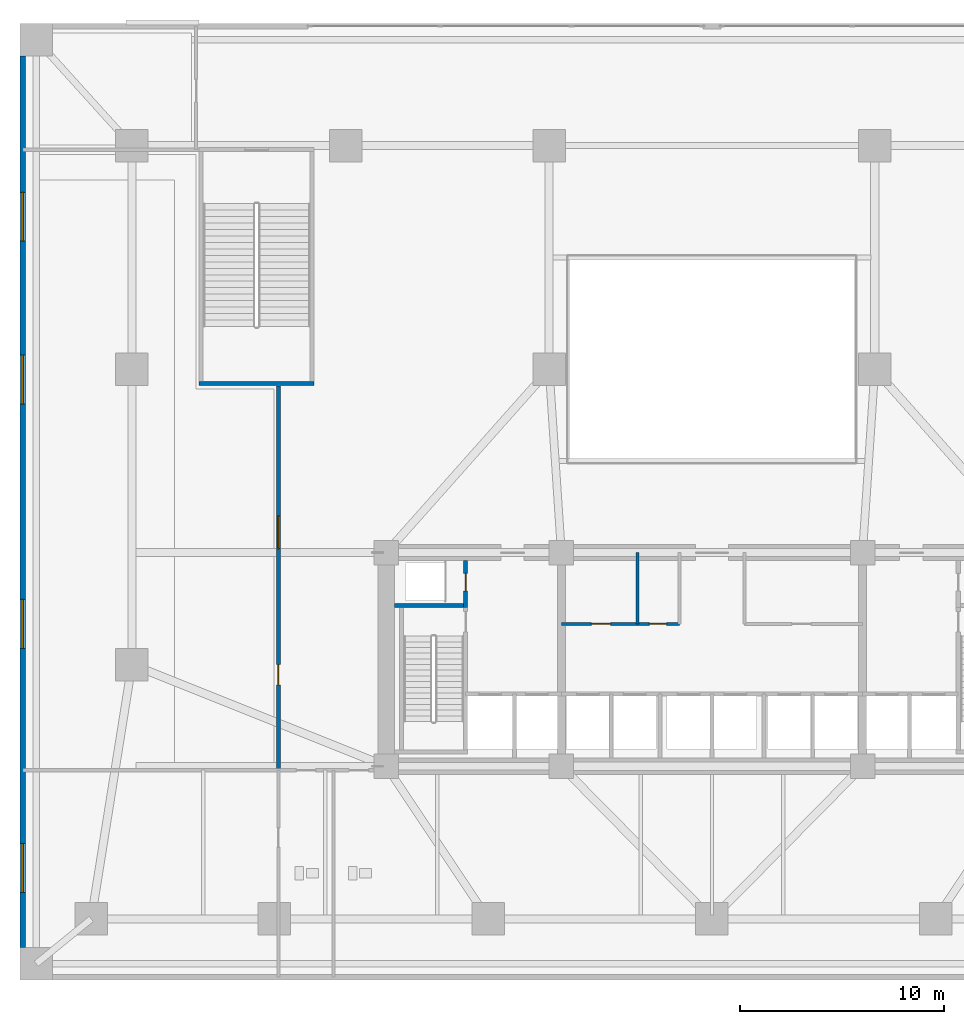
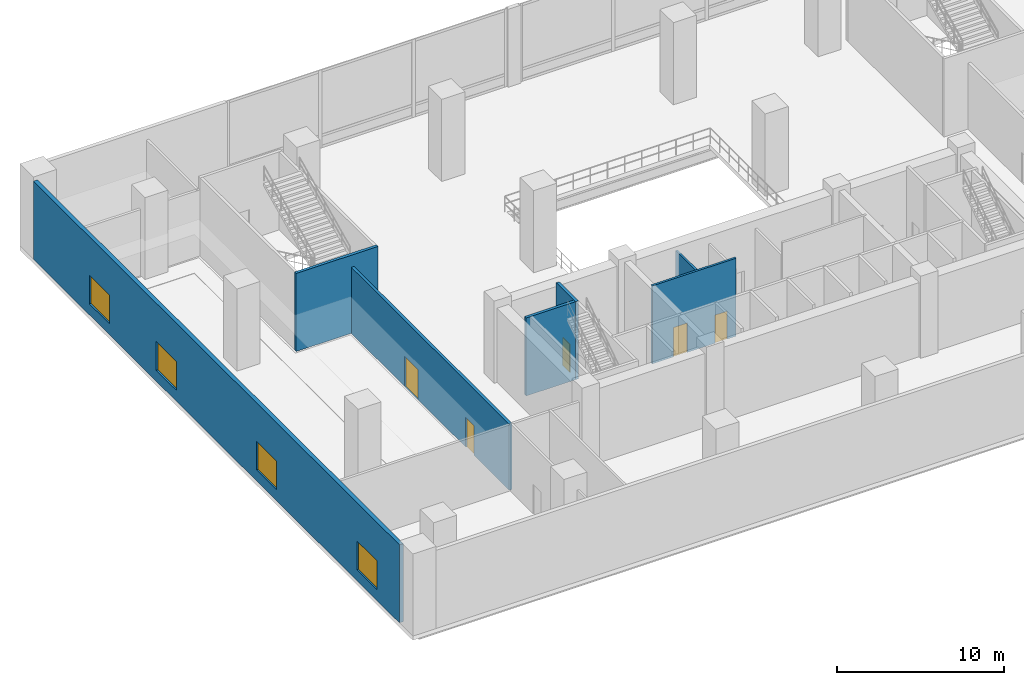
# One storey, part 7 of 16: 7 walls, 5 doors, 4 windows, 9 openings.
"""IFC4 building model written with IfcOpenShell, lengths in metres."""

from ifc_helpers import new_model, si_unit, direction, frame, frame_2d, origin, place, context, subcontext, project, spatial, rectangle, extrude, material, layer, layer_set, type_object, element, fill, save


model = new_model("IFC4")

# Units and contexts
model_context = context("Model", 3, precision=1e-05, world=origin(), true_north=direction((0.0, 1.0)))
body_context = subcontext(model_context, "Body", "Model", "MODEL_VIEW")
ifc_project = project(units=[si_unit("LENGTHUNIT", "METRE"), si_unit("AREAUNIT", "SQUARE_METRE"), si_unit("VOLUMEUNIT", "CUBIC_METRE"), si_unit("PLANEANGLEUNIT", "RADIAN"), si_unit("MASSUNIT", "GRAM", prefix="KILO")], contexts=[model_context])

# Site, building, storey
site_placement = place(None, origin())
site = spatial("IfcSite", under=ifc_project, at=site_placement, CompositionType="ELEMENT")
building_placement = place(site_placement, origin())
building = spatial("IfcBuilding", under=site, at=building_placement, Name="Solmavex Isthmus Hotel", CompositionType="ELEMENT")
storey_placement = place(building_placement, frame((0.0, 0.0, 5.39990234375)))
storey = spatial("IfcBuildingStorey", under=building, at=storey_placement, Name="L02", CompositionType="ELEMENT", Elevation=5.39990234375)

# Wall, openings, windows
ifc_material_1 = material(Name="Precast Concrete C40/50", Category="concrete")
ifc_layer_1 = layer(ifc_material_1, 0.280029296875)
ifc_layer_set_1 = layer_set([ifc_layer_1], Name="Precast Concrete C40/50")
wall_type_1 = type_object("IfcWallType", Name="EW-POD-280", PredefinedType="STANDARD", material=ifc_layer_set_1)
wall_1_placement = place(storey_placement, frame((-33.860107421875, -21.89990234375, 0.0), z_axis=(0.0, 0.0, 1.0), x_axis=(0.0, 1.0, 0.0)))
wall_1 = element("IfcWall", 1, at=wall_1_placement, inside=storey, type_object=wall_type_1, Name="Podium Facade Wall West L02", PredefinedType="STANDARD", context=body_context, shape_type="SweptSolid", body=[
    extrude(rectangle(XDim=43.7998046875, YDim=0.280029296875, at=frame_2d((21.89990234375, 0.0))), origin(), (0.0, 0.0, 1.0), 5.7001953125),
])
opening_1_placement = place(wall_1_placement, frame((2.699951171875, 0.0, 0.800048828125)))
opening_1 = element("IfcOpeningElement", 2, at=opening_1_placement, cuts=wall_1, Name="Opening WN-01", PredefinedType="OPENING", context=body_context, shape_type="SweptSolid", body=[
    extrude(rectangle(XDim=2.39990234375, YDim=2.10009765625, at=frame_2d((1.199951171875, 1.050048828125))), frame((0.0, 0.14990234375, 0.0), z_axis=(0.0, -1.0, 0.0), x_axis=(1.0, 0.0, 0.0)), (0.0, 0.0, 1.0), 0.300048828125),
])
opening_2_placement = place(wall_1_placement, frame((14.699951171875, 0.0, 0.800048828125)))
opening_2 = element("IfcOpeningElement", 3, at=opening_2_placement, cuts=wall_1, Name="Opening WN-01", PredefinedType="OPENING", context=body_context, shape_type="SweptSolid", body=[
    extrude(rectangle(XDim=2.39990234375, YDim=2.10009765625, at=frame_2d((1.199951171875, 1.050048828125))), frame((0.0, 0.14990234375, 0.0), z_axis=(0.0, -1.0, 0.0), x_axis=(1.0, 0.0, 0.0)), (0.0, 0.0, 1.0), 0.300048828125),
])
opening_3_placement = place(wall_1_placement, frame((26.699951171875, 0.0, 0.800048828125)))
opening_3 = element("IfcOpeningElement", 4, at=opening_3_placement, cuts=wall_1, Name="Opening WN-01", PredefinedType="OPENING", context=body_context, shape_type="SweptSolid", body=[
    extrude(rectangle(XDim=2.39990234375, YDim=2.10009765625, at=frame_2d((1.199951171875, 1.050048828125))), frame((0.0, 0.14990234375, 0.0), z_axis=(0.0, -1.0, 0.0), x_axis=(1.0, 0.0, 0.0)), (0.0, 0.0, 1.0), 0.300048828125),
])
opening_4_placement = place(wall_1_placement, frame((34.699951171875, 0.0, 0.800048828125)))
opening_4 = element("IfcOpeningElement", 5, at=opening_4_placement, cuts=wall_1, Name="Opening WN-01", PredefinedType="OPENING", context=body_context, shape_type="SweptSolid", body=[
    extrude(rectangle(XDim=2.39990234375, YDim=2.10009765625, at=frame_2d((1.199951171875, 1.050048828125))), frame((0.0, 0.14990234375, 0.0), z_axis=(0.0, -1.0, 0.0), x_axis=(1.0, 0.0, 0.0)), (0.0, 0.0, 1.0), 0.300048828125),
])
ifc_material_2 = material(Name="Clear low-E laminated glass", Category="glass")
window_type = type_object("IfcWindowType", Name="WIN-POD-2400", PartitioningType="SINGLE_PANEL", PredefinedType="WINDOW", material=ifc_material_2)
window_1_placement = place(opening_1_placement, origin())
window_1 = element("IfcWindow", 6, at=window_1_placement, inside=storey, type_object=window_type, Name="Podium Ballroom Window L02-W1", OverallHeight=2.10009765625, OverallWidth=2.39990234375, PartitioningType="SINGLE_PANEL", PredefinedType="WINDOW", context=body_context, shape_type="SweptSolid", body=[
    extrude(rectangle(XDim=2.39990234375, YDim=2.10009765625, at=frame_2d((1.199951171875, 1.050048828125))), frame((0.0, 0.030029296875, 0.0), z_axis=(0.0, -1.0, 0.0), x_axis=(1.0, 0.0, 0.0)), (0.0, 0.0, 1.0), 0.06005859375),
])
fill(opening_1, window_1)
window_2_placement = place(opening_2_placement, origin())
window_2 = element("IfcWindow", 7, at=window_2_placement, inside=storey, type_object=window_type, Name="Podium Ballroom Window L02-W2", OverallHeight=2.10009765625, OverallWidth=2.39990234375, PartitioningType="SINGLE_PANEL", PredefinedType="WINDOW", context=body_context, shape_type="SweptSolid", body=[
    extrude(rectangle(XDim=2.39990234375, YDim=2.10009765625, at=frame_2d((1.199951171875, 1.050048828125))), frame((0.0, 0.030029296875, 0.0), z_axis=(0.0, -1.0, 0.0), x_axis=(1.0, 0.0, 0.0)), (0.0, 0.0, 1.0), 0.06005859375),
])
fill(opening_2, window_2)
window_3_placement = place(opening_3_placement, origin())
window_3 = element("IfcWindow", 8, at=window_3_placement, inside=storey, type_object=window_type, Name="Podium Ballroom Window L02-W3", OverallHeight=2.10009765625, OverallWidth=2.39990234375, PartitioningType="SINGLE_PANEL", PredefinedType="WINDOW", context=body_context, shape_type="SweptSolid", body=[
    extrude(rectangle(XDim=2.39990234375, YDim=2.10009765625, at=frame_2d((1.199951171875, 1.050048828125))), frame((0.0, 0.030029296875, 0.0), z_axis=(0.0, -1.0, 0.0), x_axis=(1.0, 0.0, 0.0)), (0.0, 0.0, 1.0), 0.06005859375),
])
fill(opening_3, window_3)
window_4_placement = place(opening_4_placement, origin())
window_4 = element("IfcWindow", 9, at=window_4_placement, inside=storey, type_object=window_type, Name="Podium Ballroom Window L02-W4", OverallHeight=2.10009765625, OverallWidth=2.39990234375, PartitioningType="SINGLE_PANEL", PredefinedType="WINDOW", context=body_context, shape_type="SweptSolid", body=[
    extrude(rectangle(XDim=2.39990234375, YDim=2.10009765625, at=frame_2d((1.199951171875, 1.050048828125))), frame((0.0, 0.030029296875, 0.0), z_axis=(0.0, -1.0, 0.0), x_axis=(1.0, 0.0, 0.0)), (0.0, 0.0, 1.0), 0.06005859375),
])
fill(opening_4, window_4)

# Wall, openings, doors
ifc_material_3 = material(Name="Gypsum plasterboard lining", Category="gypsum")
ifc_layer_2 = layer(ifc_material_3, 0.14990234375)
ifc_layer_set_2 = layer_set([ifc_layer_2], Name="Gypsum plasterboard lining")
wall_type_2 = type_object("IfcWallType", Name="IW-CORR-150", PredefinedType="PARTITIONING", material=ifc_layer_set_2)
wall_2_placement = place(storey_placement, frame((-7.39990234375, -6.0, 0.0), z_axis=(0.0, 0.0, 1.0), x_axis=(1.0, 0.0, 0.0)))
wall_2 = element("IfcWall", 10, at=wall_2_placement, inside=storey, type_object=wall_type_2, Name="Interior Partition Wall W-L02-BOH-WS", PredefinedType="PARTITIONING", context=body_context, shape_type="SweptSolid", body=[
    extrude(rectangle(XDim=5.7998046875, YDim=0.14990234375, at=frame_2d((2.89990234375, 0.0))), origin(), (0.0, 0.0, 1.0), 5.7001953125),
])
opening_5_placement = place(wall_2_placement, frame((1.47509765625, 0.0, 0.0)))
opening_5 = element("IfcOpeningElement", 11, at=opening_5_placement, cuts=wall_2, Name="Opening ID-C095", PredefinedType="OPENING", context=body_context, shape_type="SweptSolid", body=[
    extrude(rectangle(XDim=0.949951171875, YDim=2.14990234375, at=frame_2d((0.47509765625, 1.074951171875))), frame((0.0, 0.0849609375, 0.0), z_axis=(0.0, -1.0, 0.0), x_axis=(1.0, 0.0, 0.0)), (0.0, 0.0, 1.0), 0.169921875),
])
opening_6_placement = place(wall_2_placement, frame((4.324951171875, 0.0, 0.0)))
opening_6 = element("IfcOpeningElement", 12, at=opening_6_placement, cuts=wall_2, Name="Opening ID-R085", PredefinedType="OPENING", context=body_context, shape_type="SweptSolid", body=[
    extrude(rectangle(XDim=0.85009765625, YDim=2.050048828125, at=frame_2d((0.425048828125, 1.02490234375))), frame((0.0, 0.0849609375, 0.0), z_axis=(0.0, -1.0, 0.0), x_axis=(1.0, 0.0, 0.0)), (0.0, 0.0, 1.0), 0.169921875),
])
ifc_material_4 = material(Name="Steel ASTM A500 Grade C", Category="steel")
door_type_1 = type_object("IfcDoorType", Name="IDR-FD60-0850", OperationType="NOTDEFINED", PredefinedType="DOOR", material=ifc_material_4)
door_1_placement = place(opening_6_placement, frame((0.85009765625, 0.0, 0.0), z_axis=(0.0, 0.0, 1.0), x_axis=(-1.0, 0.0, 0.0)))
door_1 = element("IfcDoor", 13, at=door_1_placement, inside=storey, type_object=door_type_1, Name="Cleaner Closet Door L02", OperationType="SINGLE_SWING_RIGHT", OverallHeight=2.050048828125, OverallWidth=0.85009765625, PredefinedType="DOOR", context=body_context, shape_type="SweptSolid", body=[
    extrude(rectangle(XDim=0.85009765625, YDim=2.050048828125, at=frame_2d((0.425048828125, 1.02490234375))), frame((0.0, 0.02490234375, 0.0), z_axis=(0.0, -1.0, 0.0), x_axis=(1.0, 0.0, 0.0)), (0.0, 0.0, 1.0), 0.050048828125),
])
fill(opening_6, door_1)
ifc_material_5 = material(Name="Hardwood timber", Category="wood")
door_type_2 = type_object("IfcDoorType", Name="IDR-FD60-0950", OperationType="NOTDEFINED", PredefinedType="DOOR", material=ifc_material_5)
door_2_placement = place(opening_5_placement, frame((0.949951171875, 0.0, 0.0), z_axis=(0.0, 0.0, 1.0), x_axis=(-1.0, 0.0, 0.0)))
door_2 = element("IfcDoor", 14, at=door_2_placement, inside=storey, type_object=door_type_2, Name="Housekeeping Store Door L02", OperationType="SINGLE_SWING_LEFT", OverallHeight=2.14990234375, OverallWidth=0.949951171875, PredefinedType="DOOR", context=body_context, shape_type="SweptSolid", body=[
    extrude(rectangle(XDim=0.949951171875, YDim=2.14990234375, at=frame_2d((0.47509765625, 1.074951171875))), frame((0.0, 0.02490234375, 0.0), z_axis=(0.0, -1.0, 0.0), x_axis=(1.0, 0.0, 0.0)), (0.0, 0.0, 1.0), 0.050048828125),
])
fill(opening_5, door_2)

# Wall
ifc_layer_3 = layer(ifc_material_3, 0.1201171875)
ifc_layer_set_3 = layer_set([ifc_layer_3], Name="Gypsum plasterboard lining")
wall_type_3 = type_object("IfcWallType", Name="IW-PART-120", PredefinedType="PARTITIONING", material=ifc_layer_set_3)
wall_3_placement = place(storey_placement, frame((-3.64990234375, -6.0, 0.0), z_axis=(0.0, 0.0, 1.0), x_axis=(0.0, 1.0, 0.0)))
element("IfcWall", 15, at=wall_3_placement, inside=storey, type_object=wall_type_3, Name="Interior Partition Wall W-L02-BOH-WM1", PredefinedType="PARTITIONING", context=body_context, shape_type="SweptSolid", body=[
    extrude(rectangle(XDim=3.5, YDim=0.14990234375, at=frame_2d((1.75, 0.0))), origin(), (0.0, 0.0, 1.0), 4.82958984375),
])

# Wall, opening, door
ifc_material_6 = material(Name="Concrete C40/50", Category="concrete")
ifc_layer_4 = layer(ifc_material_6, 0.199951171875)
ifc_layer_set_4 = layer_set([ifc_layer_4], Name="Concrete C40/50")
wall_type_4 = type_object("IfcWallType", Name="IW-SHAFT-200", PredefinedType="PARTITIONING", material=ifc_layer_set_4)
wall_4_placement = place(storey_placement, frame((-12.10009765625, -5.199951171875, 0.0), z_axis=(0.0, 0.0, 1.0), x_axis=(0.0, 1.0, 0.0)))
wall_4 = element("IfcWall", 16, at=wall_4_placement, inside=storey, type_object=wall_type_4, Name="Interior Partition Wall W-L02-RSW-E", PredefinedType="PARTITIONING", context=body_context, shape_type="SweptSolid", body=[
    extrude(rectangle(XDim=2.300048828125, YDim=0.199951171875, at=frame_2d((1.14990234375, 0.0))), origin(), (0.0, 0.0, 1.0), 5.7001953125),
])
opening_7_placement = place(wall_4_placement, frame((0.824951171875, 0.0, 0.0)))
opening_7 = element("IfcOpeningElement", 17, at=opening_7_placement, cuts=wall_4, Name="Opening ID-R085", PredefinedType="OPENING", context=body_context, shape_type="SweptSolid", body=[
    extrude(rectangle(XDim=0.85009765625, YDim=2.050048828125, at=frame_2d((0.425048828125, 1.02490234375))), frame((0.0, 0.10986328125, 0.0), z_axis=(0.0, -1.0, 0.0), x_axis=(1.0, 0.0, 0.0)), (0.0, 0.0, 1.0), 0.219970703125),
])
door_3_placement = place(opening_7_placement, origin())
door_3 = element("IfcDoor", 18, at=door_3_placement, inside=storey, type_object=door_type_1, Name="Electrical Riser Door L02", OperationType="SINGLE_SWING_RIGHT", OverallHeight=2.050048828125, OverallWidth=0.85009765625, PredefinedType="DOOR", context=body_context, shape_type="SweptSolid", body=[
    extrude(rectangle(XDim=0.85009765625, YDim=2.050048828125, at=frame_2d((0.425048828125, 1.02490234375))), frame((0.0, 0.02490234375, 0.0), z_axis=(0.0, -1.0, 0.0), x_axis=(1.0, 0.0, 0.0)), (0.0, 0.0, 1.0), 0.050048828125),
])
fill(opening_7, door_3)

# Wall, openings, doors
wall_5_placement = place(storey_placement, frame((-21.300048828125, -13.199951171875, 0.0), z_axis=(0.0, 0.0, 1.0), x_axis=(0.0, 1.0, 0.0)))
wall_5 = element("IfcWall", 19, at=wall_5_placement, inside=storey, type_object=wall_type_4, Name="Interior Partition Wall W-L02-WEST-H", PredefinedType="PARTITIONING", context=body_context, shape_type="SweptSolid", body=[
    extrude(rectangle(XDim=18.889892578125, YDim=0.199951171875, at=frame_2d((9.44482421875, 0.0))), origin(), (0.0, 0.0, 1.0), 4.82958984375),
])
opening_8_placement = place(wall_5_placement, frame((10.89990234375, 0.0, 0.0)))
opening_8 = element("IfcOpeningElement", 20, at=opening_8_placement, cuts=wall_5, Name="Opening ID-C160", PredefinedType="OPENING", context=body_context, shape_type="SweptSolid", body=[
    extrude(rectangle(XDim=1.60009765625, YDim=2.199951171875, at=frame_2d((0.800048828125, 1.10009765625))), frame((0.0, 0.10986328125, 0.0), z_axis=(0.0, -1.0, 0.0), x_axis=(1.0, 0.0, 0.0)), (0.0, 0.0, 1.0), 0.219970703125),
])
opening_9_placement = place(wall_5_placement, frame((4.199951171875, 0.0, 0.0)))
opening_9 = element("IfcOpeningElement", 21, at=opening_9_placement, cuts=wall_5, Name="Opening ID-C100", PredefinedType="OPENING", context=body_context, shape_type="SweptSolid", body=[
    extrude(rectangle(XDim=1.0, YDim=2.14990234375, at=frame_2d((0.5, 1.074951171875))), frame((0.0, 0.10986328125, 0.0), z_axis=(0.0, -1.0, 0.0), x_axis=(1.0, 0.0, 0.0)), (0.0, 0.0, 1.0), 0.219970703125),
])
door_type_3 = type_object("IfcDoorType", Name="IDR-FD60-1000", OperationType="NOTDEFINED", PredefinedType="DOOR", material=ifc_material_5)
door_4_placement = place(opening_9_placement, frame((1.0, 0.0, 0.0), z_axis=(0.0, 0.0, 1.0), x_axis=(-1.0, 0.0, 0.0)))
door_4 = element("IfcDoor", 22, at=door_4_placement, inside=storey, type_object=door_type_3, Name="West Hall South Door L02", OperationType="SINGLE_SWING_LEFT", OverallHeight=2.14990234375, OverallWidth=1.0, PredefinedType="DOOR", context=body_context, shape_type="SweptSolid", body=[
    extrude(rectangle(XDim=1.0, YDim=2.14990234375, at=frame_2d((0.5, 1.074951171875))), frame((0.0, 0.02490234375, 0.0), z_axis=(0.0, -1.0, 0.0), x_axis=(1.0, 0.0, 0.0)), (0.0, 0.0, 1.0), 0.050048828125),
])
fill(opening_9, door_4)
door_type_4 = type_object("IfcDoorType", Name="IDR-FD60-1600", OperationType="NOTDEFINED", PredefinedType="DOOR", material=ifc_material_5)
door_5_placement = place(opening_8_placement, frame((1.60009765625, 0.0, 0.0), z_axis=(0.0, 0.0, 1.0), x_axis=(-1.0, 0.0, 0.0)))
door_5 = element("IfcDoor", 23, at=door_5_placement, inside=storey, type_object=door_type_4, Name="West Hall Main Door L02", OperationType="DOUBLE_DOOR_SINGLE_SWING", OverallHeight=2.199951171875, OverallWidth=1.60009765625, PredefinedType="DOOR", context=body_context, shape_type="SweptSolid", body=[
    extrude(rectangle(XDim=1.60009765625, YDim=2.199951171875, at=frame_2d((0.800048828125, 1.10009765625))), frame((0.0, 0.02490234375, 0.0), z_axis=(0.0, -1.0, 0.0), x_axis=(1.0, 0.0, 0.0)), (0.0, 0.0, 1.0), 0.050048828125),
])
fill(opening_8, door_5)

# Walls
ifc_layer_5 = layer(ifc_material_6, 0.199951171875)
ifc_layer_set_5 = layer_set([ifc_layer_5], Name="Concrete C40/50")
wall_type_5 = type_object("IfcWallType", Name="WALL-SW-200", PredefinedType="SOLIDWALL", material=ifc_layer_set_5)
wall_6_placement = place(storey_placement, frame((-15.60009765625, -5.10009765625, 0.0), z_axis=(0.0, 0.0, 1.0), x_axis=(1.0, 0.0, 0.0)))
element("IfcWall", 24, at=wall_6_placement, inside=storey, type_object=wall_type_5, Name="Stairwell Structural Wall SW-L02-ST1-N", PredefinedType="SOLIDWALL", context=body_context, shape_type="SweptSolid", body=[
    extrude(rectangle(XDim=3.60009765625, YDim=0.199951171875, at=frame_2d((1.800048828125, 0.0))), origin(), (0.0, 0.0, 1.0), 5.7001953125),
])
wall_7_placement = place(storey_placement, frame((-25.199951171875, 5.800048828125, 0.0), z_axis=(0.0, 0.0, 1.0), x_axis=(1.0, 0.0, 0.0)))
element("IfcWall", 25, at=wall_7_placement, inside=storey, type_object=wall_type_5, Name="Stairwell Structural Wall SW-L02-ST4-S", PredefinedType="SOLIDWALL", context=body_context, shape_type="SweptSolid", body=[
    extrude(rectangle(XDim=5.64990234375, YDim=0.199951171875, at=frame_2d((2.824951171875, 0.0))), origin(), (0.0, 0.0, 1.0), 5.7001953125),
])

save(model, "model.ifc")
